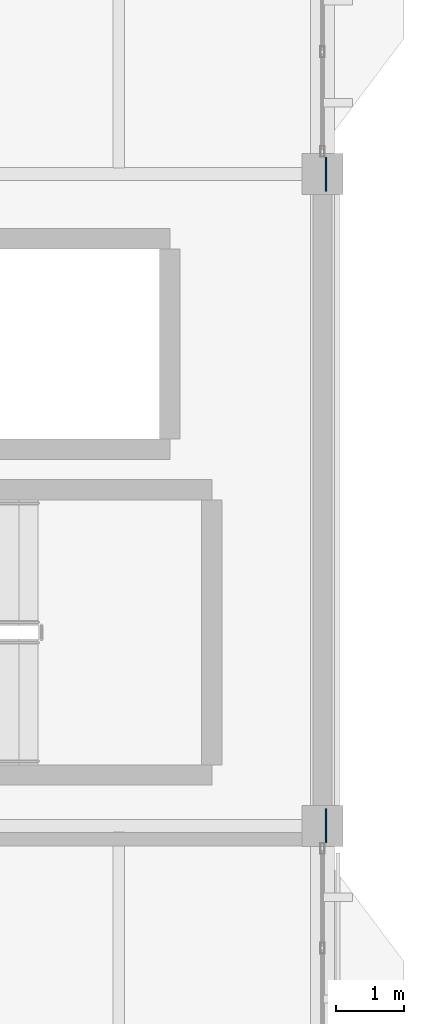
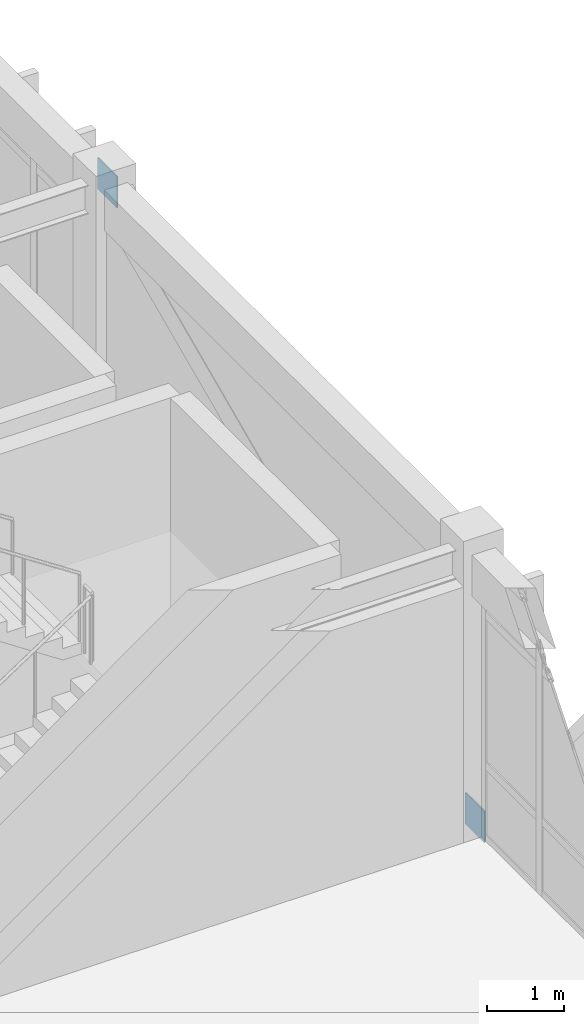
# One storey, part 218 of 236: 2 plates.
"""IFC4 building model written with IfcOpenShell, lengths in metres."""

from ifc_helpers import new_model, si_unit, direction, frame, origin, origin_2d, place, context, subcontext, project, spatial, rectangle, extrude, material, layer, layer_set, type_object, element, save


model = new_model("IFC4")

# Units and contexts
model_context = context("Model", 3, precision=1e-05, world=origin(), true_north=direction((0.0, 1.0)))
body_context = subcontext(model_context, "Body", "Model", "MODEL_VIEW")
ifc_project = project(units=[si_unit("LENGTHUNIT", "METRE"), si_unit("AREAUNIT", "SQUARE_METRE"), si_unit("VOLUMEUNIT", "CUBIC_METRE"), si_unit("PLANEANGLEUNIT", "RADIAN"), si_unit("MASSUNIT", "GRAM", prefix="KILO")], contexts=[model_context])

# Site, building, storey
site_placement = place(None, origin())
site = spatial("IfcSite", under=ifc_project, at=site_placement, CompositionType="ELEMENT")
building_placement = place(site_placement, origin())
building = spatial("IfcBuilding", under=site, at=building_placement, Name="Pandanus Reach Market Hall", CompositionType="ELEMENT")
storey_placement = place(building_placement, frame((0.0, 0.0, 5.39990234375)))
storey = spatial("IfcBuildingStorey", under=building, at=storey_placement, Name="L01", CompositionType="ELEMENT", Elevation=5.39990234375)

# Plates
ifc_material = material(Name="Steel Grade 350 (350 MPa)", Category="steel")
ifc_layer = layer(ifc_material, 0.02001953125, Name="GS-PL20")
ifc_layer_set = layer_set([ifc_layer], Name="Steel Grade 350 (350 MPa)")
plate_type = type_object("IfcPlateType", Name="GS-PL20", PredefinedType="SHEET", material=ifc_layer_set)
for number, where, z_axis, x_axis, name in (
    (1, (180.050048828125, 67.199951171875, -0.14990234375), (0.0, 0.0, 1.0), (1.0, 0.0, 0.0), "Diagrid rib end anchorage plate GS-PL20 2A"),
    (2, (180.050048828125, 76.800048828125, 4.150146484375), (0.0, 0.0, 1.0), (1.0, 0.0, 0.0), "Diagrid rib end anchorage plate GS-PL20 2B"),
):
    element("IfcPlate", number, at=place(storey_placement, frame(where, z_axis=z_axis, x_axis=x_axis)), inside=storey, type_object=plate_type, Name=name, PredefinedType="SHEET", context=body_context, shape_type="SweptSolid", body=[
        extrude(rectangle(XDim=0.02001953125, YDim=0.5, at=origin_2d()), origin(), (0.0, 0.0, 1.0), 0.5),
    ])

save(model, "model.ifc")
